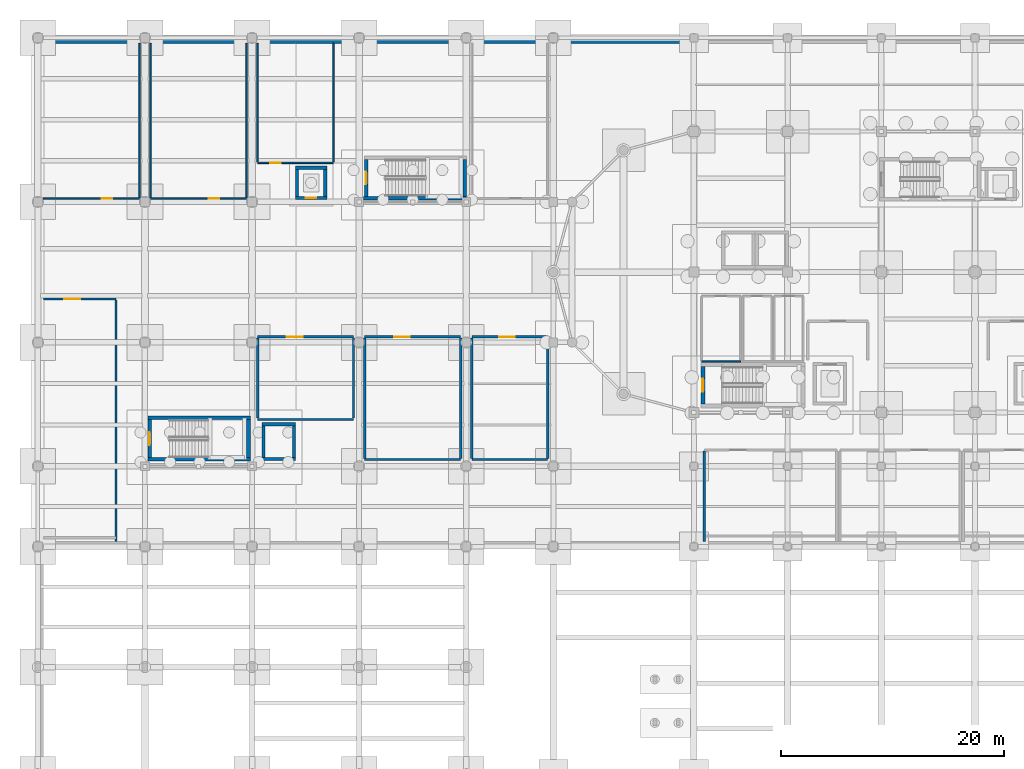
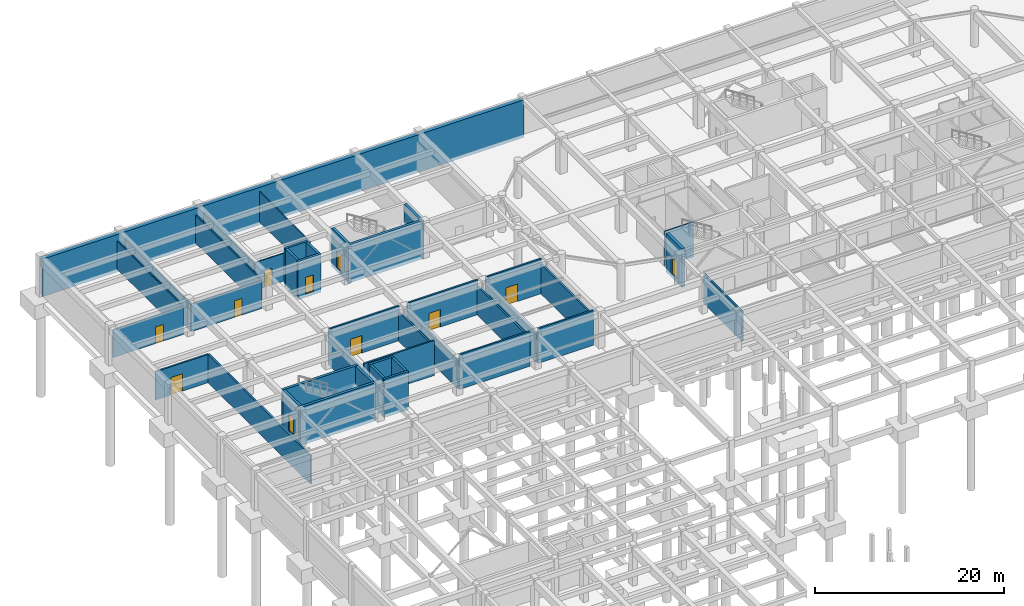
# One storey, part 21 of 37: 41 walls, 11 doors, 11 openings.
"""IFC4 building model written with IfcOpenShell, lengths in metres."""

from ifc_helpers import new_model, si_unit, direction, frame, frame_2d, origin, place, context, subcontext, project, spatial, rectangle, extrude, material, layer, layer_set, type_object, element, fill, save


model = new_model("IFC4")

# Units and contexts
model_context = context("Model", 3, precision=1e-05, world=origin(), true_north=direction((0.0, 1.0)))
body_context = subcontext(model_context, "Body", "Model", "MODEL_VIEW")
ifc_project = project(units=[si_unit("LENGTHUNIT", "METRE"), si_unit("AREAUNIT", "SQUARE_METRE"), si_unit("VOLUMEUNIT", "CUBIC_METRE"), si_unit("PLANEANGLEUNIT", "RADIAN"), si_unit("MASSUNIT", "GRAM", prefix="KILO")], contexts=[model_context])

# Site, building, storey
site_placement = place(None, origin())
site = spatial("IfcSite", under=ifc_project, at=site_placement, CompositionType="ELEMENT")
building_placement = place(site_placement, origin())
building = spatial("IfcBuilding", under=site, at=building_placement, Name="Tarnavel Promenade Courthouse", CompositionType="ELEMENT")
storey_placement = place(building_placement, frame((0.0, 0.0, -4.800048828125)))
storey = spatial("IfcBuildingStorey", under=building, at=storey_placement, Name="B01", CompositionType="ELEMENT", Elevation=-4.800048828125)

# Walls
ifc_material_1 = material(Name="Concrete C35/45", Category="concrete")
ifc_layer_1 = layer(ifc_material_1, 0.5)
ifc_layer_set_1 = layer_set([ifc_layer_1], Name="Concrete C35/45")
wall_type_1 = type_object("IfcWallType", Name="Concrete C35/45 WL-RET-500 (500 mm)", PredefinedType="SOLIDWALL", material=ifc_layer_set_1)
wall_1_placement = place(storey_placement, frame((0.0, 112.550048828125, -0.419921875), z_axis=(0.0, 0.0, 1.0), x_axis=(1.0, 0.0, 0.0)))
element("IfcWall", 1, at=wall_1_placement, inside=storey, type_object=wall_type_1, Name="B01 North Perimeter Retaining Wall 0001", PredefinedType="SOLIDWALL", context=body_context, shape_type="SweptSolid", body=[
    extrude(rectangle(XDim=58.800048828125, YDim=0.5, at=frame_2d((29.39990234375, 0.0))), origin(), (0.0, 0.0, 1.0), 4.869873046875),
])
ifc_material_2 = material(Name="Concrete C40/50", Category="concrete")
ifc_layer_2 = layer(ifc_material_2, 0.280029296875)
ifc_layer_set_2 = layer_set([ifc_layer_2], Name="Concrete C40/50")
wall_type_2 = type_object("IfcWallType", Name="Concrete C40/50 WL-SHR-280 (280 mm)", PredefinedType="SHEAR", material=ifc_layer_set_2)
for number, where, z_axis, x_axis, name in (
    (2, (20.10009765625, 78.159912109375, -0.419921875), (0.0, 0.0, 1.0), (1.0, 0.0, 0.0), "B01 L-PUB3 Lift Shaft North Wall"),
    (3, (23.10009765625, 75.0400390625, -0.419921875), (0.0, 0.0, 1.0), (-1.0, 0.0, 0.0), "B01 L-PUB3 Lift Shaft South Wall"),
):
    element("IfcWall", number, at=place(storey_placement, frame(where, z_axis=z_axis, x_axis=x_axis)), inside=storey, type_object=wall_type_2, Name=name, PredefinedType="SHEAR", context=body_context, shape_type="SweptSolid", body=[
        extrude(rectangle(XDim=3.0, YDim=0.280029296875, at=frame_2d((1.5, 0.0))), origin(), (0.0, 0.0, 1.0), 4.93994140625),
    ])
for number, where, z_axis, x_axis, name in (
    (4, (20.239990234375, 75.179931640625, -0.419921875), (0.0, 0.0, 1.0), (0.0, 1.0, 0.0), "B01 L-PUB3 Lift Shaft West Wall"),
    (5, (22.9599609375, 78.02001953125, -0.419921875), (0.0, 0.0, 1.0), (0.0, -1.0, 0.0), "B01 L-PUB3 Lift Shaft East Wall"),
):
    element("IfcWall", number, at=place(storey_placement, frame(where, z_axis=z_axis, x_axis=x_axis)), inside=storey, type_object=wall_type_2, Name=name, PredefinedType="SHEAR", context=body_context, shape_type="SweptSolid", body=[
        extrude(rectangle(XDim=2.840087890625, YDim=0.280029296875, at=frame_2d((1.419921875, 0.0))), origin(), (0.0, 0.0, 1.0), 4.93994140625),
    ])
wall_2_placement = place(storey_placement, frame((23.10009765625, 101.159912109375, -0.419921875), z_axis=(0.0, 0.0, 1.0), x_axis=(1.0, 0.0, 0.0)))
element("IfcWall", 6, at=wall_2_placement, inside=storey, type_object=wall_type_2, Name="B01 L-JUD2 Lift Shaft North Wall", PredefinedType="SHEAR", context=body_context, shape_type="SweptSolid", body=[
    extrude(rectangle(XDim=2.7998046875, YDim=0.280029296875, at=frame_2d((1.39990234375, 0.0))), origin(), (0.0, 0.0, 1.0), 4.93994140625),
])

# Wall, opening, door
wall_3_placement = place(storey_placement, frame((25.89990234375, 98.43994140625, -0.419921875), z_axis=(0.0, 0.0, 1.0), x_axis=(-1.0, 0.0, 0.0)))
wall_3 = element("IfcWall", 7, at=wall_3_placement, inside=storey, type_object=wall_type_2, Name="B01 L-JUD2 Lift Shaft South Wall", PredefinedType="SHEAR", context=body_context, shape_type="SweptSolid", body=[
    extrude(rectangle(XDim=2.7998046875, YDim=0.280029296875, at=frame_2d((1.39990234375, 0.0))), origin(), (0.0, 0.0, 1.0), 4.93994140625),
])
opening_1_placement = place(wall_3_placement, frame((0.925048828125, 0.0, 0.419921875)))
opening_1 = element("IfcOpeningElement", 8, at=opening_1_placement, cuts=wall_3, Name="Opening LD-03", PredefinedType="OPENING", context=body_context, shape_type="SweptSolid", body=[
    extrude(rectangle(XDim=0.949951171875, YDim=2.14990234375, at=frame_2d((0.47509765625, 1.074951171875))), frame((0.0, 0.14990234375, 0.0), z_axis=(0.0, -1.0, 0.0), x_axis=(1.0, 0.0, 0.0)), (0.0, 0.0, 1.0), 0.300048828125),
])
ifc_material_3 = material(Name="Stainless Steel Judicial Lift Landing Sliding Door", Category="steel")
door_type_1 = type_object("IfcDoorType", Name="Stainless Steel Judicial Lift Landing Sliding Door (LD-JUD-0950x2150)", OperationType="NOTDEFINED", PredefinedType="DOOR", material=ifc_material_3)
door_1_placement = place(opening_1_placement, origin())
door_1 = element("IfcDoor", 9, at=door_1_placement, inside=storey, type_object=door_type_1, Name="B01 L-JUD2 Lift Sliding Landing Door", OperationType="DOUBLE_DOOR_SLIDING", OverallHeight=2.14990234375, OverallWidth=0.949951171875, PredefinedType="DOOR", context=body_context, shape_type="SweptSolid", body=[
    extrude(rectangle(XDim=0.949951171875, YDim=2.14990234375, at=frame_2d((0.47509765625, 1.074951171875))), frame((0.0, 0.02490234375, 0.0), z_axis=(0.0, -1.0, 0.0), x_axis=(1.0, 0.0, 0.0)), (0.0, 0.0, 1.0), 0.050048828125),
])
fill(opening_1, door_1)

# Walls
for number, where, z_axis, x_axis, name in (
    (10, (23.239990234375, 98.580078125, -0.419921875), (0.0, 0.0, 1.0), (0.0, 1.0, 0.0), "B01 L-JUD2 Lift Shaft West Wall"),
    (11, (25.760009765625, 101.02001953125, -0.419921875), (0.0, 0.0, 1.0), (0.0, -1.0, 0.0), "B01 L-JUD2 Lift Shaft East Wall"),
):
    element("IfcWall", number, at=place(storey_placement, frame(where, z_axis=z_axis, x_axis=x_axis)), inside=storey, type_object=wall_type_2, Name=name, PredefinedType="SHEAR", context=body_context, shape_type="SweptSolid", body=[
        extrude(rectangle(XDim=2.43994140625, YDim=0.280029296875, at=frame_2d((1.219970703125, 0.0))), origin(), (0.0, 0.0, 1.0), 4.93994140625),
    ])
ifc_layer_3 = layer(ifc_material_2, 0.320068359375)
ifc_layer_set_3 = layer_set([ifc_layer_3], Name="Concrete C40/50")
wall_type_3 = type_object("IfcWallType", Name="Concrete C40/50 WL-SHR-320 (320 mm)", PredefinedType="SHEAR", material=ifc_layer_set_3)
for number, where, z_axis, x_axis, name in (
    (12, (9.860107421875, 78.739990234375, -0.419921875), (0.0, 0.0, 1.0), (1.0, 0.0, 0.0), "B01 ST-04 Shear Core North Wall"),
    (13, (19.0400390625, 75.02001953125, -0.419921875), (0.0, 0.0, 1.0), (-1.0, 0.0, 0.0), "B01 ST-04 Shear Core South Wall"),
):
    element("IfcWall", number, at=place(storey_placement, frame(where, z_axis=z_axis, x_axis=x_axis)), inside=storey, type_object=wall_type_3, Name=name, PredefinedType="SHEAR", context=body_context, shape_type="SweptSolid", body=[
        extrude(rectangle(XDim=9.179931640625, YDim=0.320068359375, at=frame_2d((4.58984375, 0.0))), origin(), (0.0, 0.0, 1.0), 4.93994140625),
    ])

# Wall, opening, door
wall_4_placement = place(storey_placement, frame((10.02001953125, 75.179931640625, -0.419921875), z_axis=(0.0, 0.0, 1.0), x_axis=(0.0, 1.0, 0.0)))
wall_4 = element("IfcWall", 14, at=wall_4_placement, inside=storey, type_object=wall_type_3, Name="B01 ST-04 Shear Core West Landing Wall", PredefinedType="SHEAR", context=body_context, shape_type="SweptSolid", body=[
    extrude(rectangle(XDim=3.400146484375, YDim=0.320068359375, at=frame_2d((1.7001953125, 0.0))), origin(), (0.0, 0.0, 1.0), 4.93994140625),
])
opening_2_placement = place(wall_4_placement, frame((1.125, 0.0, 0.419921875)))
opening_2 = element("IfcOpeningElement", 15, at=opening_2_placement, cuts=wall_4, Name="Opening FD-01", PredefinedType="OPENING", context=body_context, shape_type="SweptSolid", body=[
    extrude(rectangle(XDim=1.14990234375, YDim=2.199951171875, at=frame_2d((0.574951171875, 1.10009765625))), frame((0.0, 0.169921875, 0.0), z_axis=(0.0, -1.0, 0.0), x_axis=(1.0, 0.0, 0.0)), (0.0, 0.0, 1.0), 0.340087890625),
])
ifc_material_4 = material(Name="Steel Fire-Rated Stair Core Door", Category="steel")
door_type_2 = type_object("IfcDoorType", Name="Steel Fire-Rated Stair Core Door (DR-ST-1150x2200)", OperationType="NOTDEFINED", PredefinedType="DOOR", material=ifc_material_4)
door_2_placement = place(opening_2_placement, origin())
door_2 = element("IfcDoor", 16, at=door_2_placement, inside=storey, type_object=door_type_2, Name="B01 ST-04 Protected Exit Stair Door", OperationType="SINGLE_SWING_RIGHT", OverallHeight=2.199951171875, OverallWidth=1.14990234375, PredefinedType="DOOR", context=body_context, shape_type="SweptSolid", body=[
    extrude(rectangle(XDim=1.14990234375, YDim=2.199951171875, at=frame_2d((0.574951171875, 1.10009765625))), frame((0.0, 0.02490234375, 0.0), z_axis=(0.0, -1.0, 0.0), x_axis=(1.0, 0.0, 0.0)), (0.0, 0.0, 1.0), 0.050048828125),
])
fill(opening_2, door_2)

# Walls
wall_5_placement = place(storey_placement, frame((18.8798828125, 78.580078125, -0.419921875), z_axis=(0.0, 0.0, 1.0), x_axis=(0.0, -1.0, 0.0)))
element("IfcWall", 17, at=wall_5_placement, inside=storey, type_object=wall_type_3, Name="B01 ST-04 Shear Core East Wall", PredefinedType="SHEAR", context=body_context, shape_type="SweptSolid", body=[
    extrude(rectangle(XDim=3.400146484375, YDim=0.320068359375, at=frame_2d((1.7001953125, 0.0))), origin(), (0.0, 0.0, 1.0), 4.93994140625),
])
wall_6_placement = place(storey_placement, frame((38.43994140625, 98.419921875, -0.419921875), z_axis=(0.0, 0.0, 1.0), x_axis=(-1.0, 0.0, 0.0)))
element("IfcWall", 18, at=wall_6_placement, inside=storey, type_object=wall_type_3, Name="B01 ST-07 Shear Core South Wall", PredefinedType="SHEAR", context=body_context, shape_type="SweptSolid", body=[
    extrude(rectangle(XDim=9.239990234375, YDim=0.320068359375, at=frame_2d((4.6201171875, 0.0))), origin(), (0.0, 0.0, 1.0), 4.93994140625),
])

# Wall, opening, door
wall_7_placement = place(storey_placement, frame((29.419921875, 98.580078125, -0.419921875), z_axis=(0.0, 0.0, 1.0), x_axis=(0.0, 1.0, 0.0)))
wall_7 = element("IfcWall", 19, at=wall_7_placement, inside=storey, type_object=wall_type_3, Name="B01 ST-07 Shear Core West Landing Wall", PredefinedType="SHEAR", context=body_context, shape_type="SweptSolid", body=[
    extrude(rectangle(XDim=3.31982421875, YDim=0.320068359375, at=frame_2d((1.659912109375, 0.0))), origin(), (0.0, 0.0, 1.0), 4.93994140625),
])
opening_3_placement = place(wall_7_placement, frame((1.0849609375, 0.0, 0.419921875)))
opening_3 = element("IfcOpeningElement", 20, at=opening_3_placement, cuts=wall_7, Name="Opening FD-01", PredefinedType="OPENING", context=body_context, shape_type="SweptSolid", body=[
    extrude(rectangle(XDim=1.14990234375, YDim=2.199951171875, at=frame_2d((0.574951171875, 1.10009765625))), frame((0.0, 0.169921875, 0.0), z_axis=(0.0, -1.0, 0.0), x_axis=(1.0, 0.0, 0.0)), (0.0, 0.0, 1.0), 0.340087890625),
])
door_3_placement = place(opening_3_placement, origin())
door_3 = element("IfcDoor", 21, at=door_3_placement, inside=storey, type_object=door_type_2, Name="B01 ST-07 Protected Exit Stair Door", OperationType="SINGLE_SWING_LEFT", OverallHeight=2.199951171875, OverallWidth=1.14990234375, PredefinedType="DOOR", context=body_context, shape_type="SweptSolid", body=[
    extrude(rectangle(XDim=1.14990234375, YDim=2.199951171875, at=frame_2d((0.574951171875, 1.10009765625))), frame((0.0, 0.02490234375, 0.0), z_axis=(0.0, -1.0, 0.0), x_axis=(1.0, 0.0, 0.0)), (0.0, 0.0, 1.0), 0.050048828125),
])
fill(opening_3, door_3)

# Wall
wall_8_placement = place(storey_placement, frame((38.280029296875, 101.89990234375, -0.419921875), z_axis=(0.0, 0.0, 1.0), x_axis=(0.0, -1.0, 0.0)))
element("IfcWall", 22, at=wall_8_placement, inside=storey, type_object=wall_type_3, Name="B01 ST-07 Shear Core East Wall", PredefinedType="SHEAR", context=body_context, shape_type="SweptSolid", body=[
    extrude(rectangle(XDim=3.31982421875, YDim=0.320068359375, at=frame_2d((1.659912109375, 0.0))), origin(), (0.0, 0.0, 1.0), 4.93994140625),
])

# Wall, opening, door
ifc_layer_4 = layer(ifc_material_2, 0.360107421875)
ifc_layer_set_4 = layer_set([ifc_layer_4], Name="Concrete C40/50")
wall_type_4 = type_object("IfcWallType", Name="Concrete C40/50 WL-SHR-360 (360 mm)", PredefinedType="SHEAR", material=ifc_layer_set_4)
wall_9_placement = place(storey_placement, frame((59.60009765625, 79.97998046875, -0.419921875), z_axis=(0.0, 0.0, 1.0), x_axis=(0.0, 1.0, 0.0)))
wall_9 = element("IfcWall", 23, at=wall_9_placement, inside=storey, type_object=wall_type_4, Name="B01 ST-01 Shear Core West Landing Wall", PredefinedType="SHEAR", context=body_context, shape_type="SweptSolid", body=[
    extrude(rectangle(XDim=3.360107421875, YDim=0.360107421875, at=frame_2d((1.68017578125, 0.0))), origin(), (0.0, 0.0, 1.0), 4.93994140625),
])
opening_4_placement = place(wall_9_placement, frame((1.080078125, 0.0, 0.419921875)))
opening_4 = element("IfcOpeningElement", 24, at=opening_4_placement, cuts=wall_9, Name="Opening FD-02", PredefinedType="OPENING", context=body_context, shape_type="SweptSolid", body=[
    extrude(rectangle(XDim=1.199951171875, YDim=2.199951171875, at=frame_2d((0.60009765625, 1.10009765625))), frame((0.0, 0.18994140625, 0.0), z_axis=(0.0, -1.0, 0.0), x_axis=(1.0, 0.0, 0.0)), (0.0, 0.0, 1.0), 0.380126953125),
])
ifc_material_5 = material(Name="Steel Fire-Rated Firefighting Stair Door", Category="steel")
door_type_3 = type_object("IfcDoorType", Name="Steel Fire-Rated Firefighting Stair Door (DR-ST-1200x2200)", OperationType="NOTDEFINED", PredefinedType="DOOR", material=ifc_material_5)
door_4_placement = place(opening_4_placement, origin())
door_4 = element("IfcDoor", 25, at=door_4_placement, inside=storey, type_object=door_type_3, Name="B01 ST-01 Protected Exit Stair Door", OperationType="SINGLE_SWING_RIGHT", OverallHeight=2.199951171875, OverallWidth=1.199951171875, PredefinedType="DOOR", context=body_context, shape_type="SweptSolid", body=[
    extrude(rectangle(XDim=1.199951171875, YDim=2.199951171875, at=frame_2d((0.60009765625, 1.10009765625))), frame((0.0, 0.02490234375, 0.0), z_axis=(0.0, -1.0, 0.0), x_axis=(1.0, 0.0, 0.0)), (0.0, 0.0, 1.0), 0.050048828125),
])
fill(opening_4, door_4)

ifc_material_6 = material(Name="Concrete Masonry Fire Compartment Wall", Category="masonry")
ifc_layer_5 = layer(ifc_material_6, 0.205078125)
ifc_layer_set_5 = layer_set([ifc_layer_5], Name="Concrete Masonry Fire Compartment Wall")
wall_type_5 = type_object("IfcWallType", Name="Concrete Masonry Fire Compartment Wall WL-CMP-205 (205 mm)", PredefinedType="STANDARD", material=ifc_layer_set_5)
wall_10_placement = place(storey_placement, frame((0.493896484375, 89.39990234375, 0.0), z_axis=(0.0, 0.0, 1.0), x_axis=(1.0, 0.0, 0.0)))
wall_10 = element("IfcWall", 26, at=wall_10_placement, inside=storey, type_object=wall_type_5, Name="B01 Judicial Archive Vault West Partition 0042", PredefinedType="STANDARD", context=body_context, shape_type="SweptSolid", body=[
    extrude(rectangle(XDim=6.506103515625, YDim=0.205078125, at=frame_2d((3.2529296875, 0.0))), origin(), (0.0, 0.0, 1.0), 3.650146484375),
])
opening_5_placement = place(wall_10_placement, frame((1.89208984375, 0.0, 0.0)))
opening_5 = element("IfcOpeningElement", 27, at=opening_5_placement, cuts=wall_10, Name="Opening FD-04", PredefinedType="OPENING", context=body_context, shape_type="SweptSolid", body=[
    extrude(rectangle(XDim=1.39990234375, YDim=2.25, at=frame_2d((0.699951171875, 1.125))), frame((0.0, 0.112548828125, 0.0), z_axis=(0.0, -1.0, 0.0), x_axis=(1.0, 0.0, 0.0)), (0.0, 0.0, 1.0), 0.22509765625),
])
ifc_material_7 = material(Name="Heavy Steel Plant Room Fire Door", Category="steel")
door_type_4 = type_object("IfcDoorType", Name="Heavy Steel Plant Room Fire Door (DR-PLT-1400x2250)", OperationType="NOTDEFINED", PredefinedType="DOOR", material=ifc_material_7)
door_5_placement = place(opening_5_placement, origin())
door_5 = element("IfcDoor", 28, at=door_5_placement, inside=storey, type_object=door_type_4, Name="B01 Judicial Archive Vault West Door 0013", OperationType="SINGLE_SWING_LEFT", OverallHeight=2.25, OverallWidth=1.39990234375, PredefinedType="DOOR", context=body_context, shape_type="SweptSolid", body=[
    extrude(rectangle(XDim=1.39990234375, YDim=2.25, at=frame_2d((0.699951171875, 1.125))), frame((0.0, 0.02490234375, 0.0), z_axis=(0.0, -1.0, 0.0), x_axis=(1.0, 0.0, 0.0)), (0.0, 0.0, 1.0), 0.050048828125),
])
fill(opening_5, door_5)

# Wall
wall_11_placement = place(storey_placement, frame((7.0, 89.28759765625, 0.0), z_axis=(0.0, 0.0, 1.0), x_axis=(0.0, -1.0, 0.0)))
element("IfcWall", 29, at=wall_11_placement, inside=storey, type_object=wall_type_5, Name="B01 Judicial Archive Vault West Partition 0044", PredefinedType="STANDARD", context=body_context, shape_type="SweptSolid", body=[
    extrude(rectangle(XDim=21.61865234375, YDim=0.205078125, at=frame_2d((10.809326171875, 0.0))), origin(), (0.0, 0.0, 1.0), 3.68994140625),
])

# Wall, opening, door
wall_12_placement = place(storey_placement, frame((19.699951171875, 86.0, 0.0), z_axis=(0.0, 0.0, 1.0), x_axis=(1.0, 0.0, 0.0)))
wall_12 = element("IfcWall", 30, at=wall_12_placement, inside=storey, type_object=wall_type_5, Name="B01 Judicial Archive Vault Central Partition 0045", PredefinedType="STANDARD", context=body_context, shape_type="SweptSolid", body=[
    extrude(rectangle(XDim=8.60009765625, YDim=0.205078125, at=frame_2d((4.300048828125, 0.0))), origin(), (0.0, 0.0, 1.0), 4.505126953125),
])
opening_6_placement = place(wall_12_placement, frame((2.625, 0.0, 0.0)))
opening_6 = element("IfcOpeningElement", 31, at=opening_6_placement, cuts=wall_12, Name="Opening FD-04", PredefinedType="OPENING", context=body_context, shape_type="SweptSolid", body=[
    extrude(rectangle(XDim=1.39990234375, YDim=2.25, at=frame_2d((0.699951171875, 1.125))), frame((0.0, 0.112548828125, 0.0), z_axis=(0.0, -1.0, 0.0), x_axis=(1.0, 0.0, 0.0)), (0.0, 0.0, 1.0), 0.22509765625),
])
door_6_placement = place(opening_6_placement, origin())
door_6 = element("IfcDoor", 32, at=door_6_placement, inside=storey, type_object=door_type_4, Name="B01 Judicial Archive Vault Central Door 0014", OperationType="SINGLE_SWING_RIGHT", OverallHeight=2.25, OverallWidth=1.39990234375, PredefinedType="DOOR", context=body_context, shape_type="SweptSolid", body=[
    extrude(rectangle(XDim=1.39990234375, YDim=2.25, at=frame_2d((0.699951171875, 1.125))), frame((0.0, 0.02490234375, 0.0), z_axis=(0.0, -1.0, 0.0), x_axis=(1.0, 0.0, 0.0)), (0.0, 0.0, 1.0), 0.050048828125),
])
fill(opening_6, door_6)

# Walls
wall_13_placement = place(storey_placement, frame((28.300048828125, 78.60009765625, 0.0), z_axis=(0.0, 0.0, 1.0), x_axis=(-1.0, 0.0, 0.0)))
element("IfcWall", 33, at=wall_13_placement, inside=storey, type_object=wall_type_5, Name="B01 Judicial Archive Vault Central Partition 0046", PredefinedType="STANDARD", context=body_context, shape_type="SweptSolid", body=[
    extrude(rectangle(XDim=8.60009765625, YDim=0.205078125, at=frame_2d((4.300048828125, 0.0))), origin(), (0.0, 0.0, 1.0), 4.505126953125),
])
for number, where, z_axis, x_axis, name in (
    (34, (19.699951171875, 78.71240234375, 0.0), (0.0, 0.0, 1.0), (0.0, 1.0, 0.0), "B01 Judicial Archive Vault Central Partition 0047"),
    (35, (28.300048828125, 85.887451171875, 0.0), (0.0, 0.0, 1.0), (0.0, -1.0, 0.0), "B01 Judicial Archive Vault Central Partition 0048"),
):
    element("IfcWall", number, at=place(storey_placement, frame(where, z_axis=z_axis, x_axis=x_axis)), inside=storey, type_object=wall_type_5, Name=name, PredefinedType="STANDARD", context=body_context, shape_type="SweptSolid", body=[
        extrude(rectangle(XDim=7.175048828125, YDim=0.205078125, at=frame_2d((3.58740234375, 0.0))), origin(), (0.0, 0.0, 1.0), 3.75),
    ])

# Wall, opening, door
wall_14_placement = place(storey_placement, frame((29.300048828125, 86.0, 0.0), z_axis=(0.0, 0.0, 1.0), x_axis=(1.0, 0.0, 0.0)))
wall_14 = element("IfcWall", 36, at=wall_14_placement, inside=storey, type_object=wall_type_5, Name="B01 Forensic Evidence Vault Partition 0049", PredefinedType="STANDARD", context=body_context, shape_type="SweptSolid", body=[
    extrude(rectangle(XDim=8.599853515625, YDim=0.205078125, at=frame_2d((4.2998046875, 0.0))), origin(), (0.0, 0.0, 1.0), 4.505126953125),
])
opening_7_placement = place(wall_14_placement, frame((2.625, 0.0, 0.0)))
opening_7 = element("IfcOpeningElement", 37, at=opening_7_placement, cuts=wall_14, Name="Opening FD-04", PredefinedType="OPENING", context=body_context, shape_type="SweptSolid", body=[
    extrude(rectangle(XDim=1.39990234375, YDim=2.25, at=frame_2d((0.699951171875, 1.125))), frame((0.0, 0.112548828125, 0.0), z_axis=(0.0, -1.0, 0.0), x_axis=(1.0, 0.0, 0.0)), (0.0, 0.0, 1.0), 0.22509765625),
])
door_7_placement = place(opening_7_placement, origin())
door_7 = element("IfcDoor", 38, at=door_7_placement, inside=storey, type_object=door_type_4, Name="B01 Forensic Evidence Vault Door 0015", OperationType="SINGLE_SWING_LEFT", OverallHeight=2.25, OverallWidth=1.39990234375, PredefinedType="DOOR", context=body_context, shape_type="SweptSolid", body=[
    extrude(rectangle(XDim=1.39990234375, YDim=2.25, at=frame_2d((0.699951171875, 1.125))), frame((0.0, 0.02490234375, 0.0), z_axis=(0.0, -1.0, 0.0), x_axis=(1.0, 0.0, 0.0)), (0.0, 0.0, 1.0), 0.050048828125),
])
fill(opening_7, door_7)

# Walls
wall_15_placement = place(storey_placement, frame((37.89990234375, 75.0, 0.0), z_axis=(0.0, 0.0, 1.0), x_axis=(-1.0, 0.0, 0.0)))
element("IfcWall", 39, at=wall_15_placement, inside=storey, type_object=wall_type_5, Name="B01 Forensic Evidence Vault Partition 0050", PredefinedType="STANDARD", context=body_context, shape_type="SweptSolid", body=[
    extrude(rectangle(XDim=8.599853515625, YDim=0.205078125, at=frame_2d((4.2998046875, 0.0))), origin(), (0.0, 0.0, 1.0), 4.505126953125),
])
for number, where, z_axis, x_axis, name in (
    (40, (29.300048828125, 75.112548828125, 0.0), (0.0, 0.0, 1.0), (0.0, 1.0, 0.0), "B01 Forensic Evidence Vault Partition 0051"),
    (41, (37.89990234375, 85.887451171875, 0.0), (0.0, 0.0, 1.0), (0.0, -1.0, 0.0), "B01 Forensic Evidence Vault Partition 0052"),
):
    element("IfcWall", number, at=place(storey_placement, frame(where, z_axis=z_axis, x_axis=x_axis)), inside=storey, type_object=wall_type_5, Name=name, PredefinedType="STANDARD", context=body_context, shape_type="SweptSolid", body=[
        extrude(rectangle(XDim=10.77490234375, YDim=0.205078125, at=frame_2d((5.387451171875, 0.0))), origin(), (0.0, 0.0, 1.0), 3.75),
    ])

# Wall, opening, door
wall_16_placement = place(storey_placement, frame((38.89990234375, 86.0, 0.0), z_axis=(0.0, 0.0, 1.0), x_axis=(1.0, 0.0, 0.0)))
wall_16 = element("IfcWall", 42, at=wall_16_placement, inside=storey, type_object=wall_type_5, Name="B01 Secure Bicycle Storage Room Partition 0053", PredefinedType="STANDARD", context=body_context, shape_type="SweptSolid", body=[
    extrude(rectangle(XDim=6.800048828125, YDim=0.205078125, at=frame_2d((3.39990234375, 0.0))), origin(), (0.0, 0.0, 1.0), 4.505126953125),
])
opening_8_placement = place(wall_16_placement, frame((2.465087890625, 0.0, 0.0)))
opening_8 = element("IfcOpeningElement", 43, at=opening_8_placement, cuts=wall_16, Name="Opening FD-04", PredefinedType="OPENING", context=body_context, shape_type="SweptSolid", body=[
    extrude(rectangle(XDim=1.39990234375, YDim=2.25, at=frame_2d((0.699951171875, 1.125))), frame((0.0, 0.112548828125, 0.0), z_axis=(0.0, -1.0, 0.0), x_axis=(1.0, 0.0, 0.0)), (0.0, 0.0, 1.0), 0.22509765625),
])
door_8_placement = place(opening_8_placement, origin())
door_8 = element("IfcDoor", 44, at=door_8_placement, inside=storey, type_object=door_type_4, Name="B01 Secure Bicycle Storage Room Door 0016", OperationType="SINGLE_SWING_RIGHT", OverallHeight=2.25, OverallWidth=1.39990234375, PredefinedType="DOOR", context=body_context, shape_type="SweptSolid", body=[
    extrude(rectangle(XDim=1.39990234375, YDim=2.25, at=frame_2d((0.699951171875, 1.125))), frame((0.0, 0.02490234375, 0.0), z_axis=(0.0, -1.0, 0.0), x_axis=(1.0, 0.0, 0.0)), (0.0, 0.0, 1.0), 0.050048828125),
])
fill(opening_8, door_8)

# Walls
wall_17_placement = place(storey_placement, frame((45.699951171875, 75.0, 0.0), z_axis=(0.0, 0.0, 1.0), x_axis=(-1.0, 0.0, 0.0)))
element("IfcWall", 45, at=wall_17_placement, inside=storey, type_object=wall_type_5, Name="B01 Secure Bicycle Storage Room Partition 0054", PredefinedType="STANDARD", context=body_context, shape_type="SweptSolid", body=[
    extrude(rectangle(XDim=6.800048828125, YDim=0.205078125, at=frame_2d((3.39990234375, 0.0))), origin(), (0.0, 0.0, 1.0), 4.505126953125),
])
for number, where, z_axis, x_axis, name in (
    (46, (38.89990234375, 75.112548828125, 0.0), (0.0, 0.0, 1.0), (0.0, 1.0, 0.0), "B01 Secure Bicycle Storage Room Partition 0055"),
    (47, (45.699951171875, 85.887451171875, 0.0), (0.0, 0.0, 1.0), (0.0, -1.0, 0.0), "B01 Secure Bicycle Storage Room Partition 0056"),
):
    element("IfcWall", number, at=place(storey_placement, frame(where, z_axis=z_axis, x_axis=x_axis)), inside=storey, type_object=wall_type_5, Name=name, PredefinedType="STANDARD", context=body_context, shape_type="SweptSolid", body=[
        extrude(rectangle(XDim=10.77490234375, YDim=0.205078125, at=frame_2d((5.387451171875, 0.0))), origin(), (0.0, 0.0, 1.0), 3.85009765625),
    ])
wall_18_placement = place(storey_placement, frame((59.739990234375, 67.6689453125, 0.0), z_axis=(0.0, 0.0, 1.0), x_axis=(0.0, 1.0, 0.0)))
element("IfcWall", 48, at=wall_18_placement, inside=storey, type_object=wall_type_5, Name="B01 Chiller and District Heating Substation Plant Room Partition 0059", PredefinedType="STANDARD", context=body_context, shape_type="SweptSolid", body=[
    extrude(rectangle(XDim=8.07861328125, YDim=0.205078125, at=frame_2d((4.039306640625, 0.0))), origin(), (0.0, 0.0, 1.0), 3.85009765625),
])
ifc_material_8 = material(Name="Metal-Stud Acoustic Gypsum Partition", Category="gypsum")
ifc_layer_6 = layer(ifc_material_8, 0.135009765625)
ifc_layer_set_6 = layer_set([ifc_layer_6], Name="Metal-Stud Acoustic Gypsum Partition")
wall_type_6 = type_object("IfcWallType", Name="Metal-Stud Acoustic Gypsum Partition WL-OFF-135 (135 mm)", PredefinedType="PARTITIONING", material=ifc_layer_set_6)
wall_19_placement = place(storey_placement, frame((63.0, 83.800048828125, 0.0), z_axis=(0.0, 0.0, 1.0), x_axis=(-1.0, 0.0, 0.0)))
element("IfcWall", 49, at=wall_19_placement, inside=storey, type_object=wall_type_6, Name="B01 B01 Bailiffs' Duty Room Partition 0024", PredefinedType="PARTITIONING", context=body_context, shape_type="SweptSolid", body=[
    extrude(rectangle(XDim=3.5, YDim=0.135009765625, at=frame_2d((1.75, 0.0))), origin(), (0.0, 0.0, 1.0), 4.505126953125),
])

# Wall, opening, door
wall_20_placement = place(storey_placement, frame((9.10009765625, 98.39990234375, 0.0), z_axis=(0.0, 0.0, 1.0), x_axis=(-1.0, 0.0, 0.0)))
wall_20 = element("IfcWall", 50, at=wall_20_placement, inside=storey, type_object=wall_type_6, Name="B01 Judicial Car Park North Zone A Partition 0031", PredefinedType="PARTITIONING", context=body_context, shape_type="SweptSolid", body=[
    extrude(rectangle(XDim=8.606201171875, YDim=0.135009765625, at=frame_2d((4.30322265625, 0.0))), origin(), (0.0, 0.0, 1.0), 3.60009765625),
])
opening_9_placement = place(wall_20_placement, frame((2.436767578125, 0.0, 0.0)))
opening_9 = element("IfcOpeningElement", 51, at=opening_9_placement, cuts=wall_20, Name="Opening ID-06", PredefinedType="OPENING", context=body_context, shape_type="SweptSolid", body=[
    extrude(rectangle(XDim=0.949951171875, YDim=2.14990234375, at=frame_2d((0.47509765625, 1.074951171875))), frame((0.0, 0.077392578125, 0.0), z_axis=(0.0, -1.0, 0.0), x_axis=(1.0, 0.0, 0.0)), (0.0, 0.0, 1.0), 0.155029296875),
])
ifc_material_9 = material(Name="Acoustic Timber Veneer Office Door", Category="wood")
door_type_5 = type_object("IfcDoorType", Name="Acoustic Timber Veneer Office Door (DR-OFF-0950x2150)", OperationType="NOTDEFINED", PredefinedType="DOOR", material=ifc_material_9)
door_9_placement = place(opening_9_placement, origin())
door_9 = element("IfcDoor", 52, at=door_9_placement, inside=storey, type_object=door_type_5, Name="B01 Judicial Car Park North Zone A Door 0009", OperationType="SINGLE_SWING_LEFT", OverallHeight=2.14990234375, OverallWidth=0.949951171875, PredefinedType="DOOR", context=body_context, shape_type="SweptSolid", body=[
    extrude(rectangle(XDim=0.949951171875, YDim=2.14990234375, at=frame_2d((0.47509765625, 1.074951171875))), frame((0.0, 0.02490234375, 0.0), z_axis=(0.0, -1.0, 0.0), x_axis=(1.0, 0.0, 0.0)), (0.0, 0.0, 1.0), 0.050048828125),
])
fill(opening_9, door_9)

# Wall
wall_21_placement = place(storey_placement, frame((9.10009765625, 112.305908203125, 0.0), z_axis=(0.0, 0.0, 1.0), x_axis=(0.0, -1.0, 0.0)))
element("IfcWall", 53, at=wall_21_placement, inside=storey, type_object=wall_type_6, Name="B01 Judicial Car Park North Zone A Partition 0032", PredefinedType="PARTITIONING", context=body_context, shape_type="SweptSolid", body=[
    extrude(rectangle(XDim=13.828369140625, YDim=0.135009765625, at=frame_2d((6.9140625, 0.0))), origin(), (0.0, 0.0, 1.0), 3.60009765625),
])

# Wall, opening, door
wall_22_placement = place(storey_placement, frame((18.699951171875, 98.39990234375, 0.0), z_axis=(0.0, 0.0, 1.0), x_axis=(-1.0, 0.0, 0.0)))
wall_22 = element("IfcWall", 54, at=wall_22_placement, inside=storey, type_object=wall_type_6, Name="B01 Judicial Car Park North Zone B Partition 0033", PredefinedType="PARTITIONING", context=body_context, shape_type="SweptSolid", body=[
    extrude(rectangle(XDim=8.599853515625, YDim=0.135009765625, at=frame_2d((4.2998046875, 0.0))), origin(), (0.0, 0.0, 1.0), 3.60009765625),
])
opening_10_placement = place(wall_22_placement, frame((2.43505859375, 0.0, 0.0)))
opening_10 = element("IfcOpeningElement", 55, at=opening_10_placement, cuts=wall_22, Name="Opening ID-06", PredefinedType="OPENING", context=body_context, shape_type="SweptSolid", body=[
    extrude(rectangle(XDim=0.949951171875, YDim=2.14990234375, at=frame_2d((0.47509765625, 1.074951171875))), frame((0.0, 0.077392578125, 0.0), z_axis=(0.0, -1.0, 0.0), x_axis=(1.0, 0.0, 0.0)), (0.0, 0.0, 1.0), 0.155029296875),
])
door_10_placement = place(opening_10_placement, origin())
door_10 = element("IfcDoor", 56, at=door_10_placement, inside=storey, type_object=door_type_5, Name="B01 Judicial Car Park North Zone B Door 0010", OperationType="SINGLE_SWING_RIGHT", OverallHeight=2.14990234375, OverallWidth=0.949951171875, PredefinedType="DOOR", context=body_context, shape_type="SweptSolid", body=[
    extrude(rectangle(XDim=0.949951171875, YDim=2.14990234375, at=frame_2d((0.47509765625, 1.074951171875))), frame((0.0, 0.02490234375, 0.0), z_axis=(0.0, -1.0, 0.0), x_axis=(1.0, 0.0, 0.0)), (0.0, 0.0, 1.0), 0.050048828125),
])
fill(opening_10, door_10)

# Walls
for number, where, z_axis, x_axis, name in (
    (57, (10.10009765625, 98.4775390625, 0.0), (0.0, 0.0, 1.0), (0.0, 1.0, 0.0), "B01 Judicial Car Park North Zone B Partition 0034"),
    (58, (18.699951171875, 112.305908203125, 0.0), (0.0, 0.0, 1.0), (0.0, -1.0, 0.0), "B01 Judicial Car Park North Zone B Partition 0035"),
):
    element("IfcWall", number, at=place(storey_placement, frame(where, z_axis=z_axis, x_axis=x_axis)), inside=storey, type_object=wall_type_6, Name=name, PredefinedType="PARTITIONING", context=body_context, shape_type="SweptSolid", body=[
        extrude(rectangle(XDim=13.828369140625, YDim=0.135009765625, at=frame_2d((6.9140625, 0.0))), origin(), (0.0, 0.0, 1.0), 3.60009765625),
    ])

# Wall, opening, door
wall_23_placement = place(storey_placement, frame((26.5, 101.60009765625, 0.0), z_axis=(0.0, 0.0, 1.0), x_axis=(-1.0, 0.0, 0.0)))
wall_23 = element("IfcWall", 59, at=wall_23_placement, inside=storey, type_object=wall_type_6, Name="B01 Accessible Judicial Parking Bays Partition 0036", PredefinedType="PARTITIONING", context=body_context, shape_type="SweptSolid", body=[
    extrude(rectangle(XDim=6.800048828125, YDim=0.135009765625, at=frame_2d((3.39990234375, 0.0))), origin(), (0.0, 0.0, 1.0), 3.60009765625),
])
opening_11_placement = place(wall_23_placement, frame((4.7275390625, 0.0, 0.0)))
opening_11 = element("IfcOpeningElement", 60, at=opening_11_placement, cuts=wall_23, Name="Opening ID-06", PredefinedType="OPENING", context=body_context, shape_type="SweptSolid", body=[
    extrude(rectangle(XDim=0.949951171875, YDim=2.14990234375, at=frame_2d((0.47509765625, 1.074951171875))), frame((0.0, 0.077392578125, 0.0), z_axis=(0.0, -1.0, 0.0), x_axis=(1.0, 0.0, 0.0)), (0.0, 0.0, 1.0), 0.155029296875),
])
door_11_placement = place(opening_11_placement, origin())
door_11 = element("IfcDoor", 61, at=door_11_placement, inside=storey, type_object=door_type_5, Name="B01 Accessible Judicial Parking Bays Door 0011", OperationType="SINGLE_SWING_LEFT", OverallHeight=2.14990234375, OverallWidth=0.949951171875, PredefinedType="DOOR", context=body_context, shape_type="SweptSolid", body=[
    extrude(rectangle(XDim=0.949951171875, YDim=2.14990234375, at=frame_2d((0.47509765625, 1.074951171875))), frame((0.0, 0.02490234375, 0.0), z_axis=(0.0, -1.0, 0.0), x_axis=(1.0, 0.0, 0.0)), (0.0, 0.0, 1.0), 0.050048828125),
])
fill(opening_11, door_11)

# Walls
wall_24_placement = place(storey_placement, frame((19.699951171875, 101.677490234375, 0.0), z_axis=(0.0, 0.0, 1.0), x_axis=(0.0, 1.0, 0.0)))
element("IfcWall", 62, at=wall_24_placement, inside=storey, type_object=wall_type_6, Name="B01 Accessible Judicial Parking Bays Partition 0037", PredefinedType="PARTITIONING", context=body_context, shape_type="SweptSolid", body=[
    extrude(rectangle(XDim=10.62841796875, YDim=0.135009765625, at=frame_2d((5.314208984375, 0.0))), origin(), (0.0, 0.0, 1.0), 3.60009765625),
])
wall_25_placement = place(storey_placement, frame((26.5, 112.305908203125, 0.0), z_axis=(0.0, 0.0, 1.0), x_axis=(0.0, -1.0, 0.0)))
element("IfcWall", 63, at=wall_25_placement, inside=storey, type_object=wall_type_6, Name="B01 Accessible Judicial Parking Bays Partition 0038", PredefinedType="PARTITIONING", context=body_context, shape_type="SweptSolid", body=[
    extrude(rectangle(XDim=10.62841796875, YDim=0.135009765625, at=frame_2d((5.314208984375, 0.0))), origin(), (0.0, 0.0, 1.0), 3.900146484375),
])

save(model, "model.ifc")
